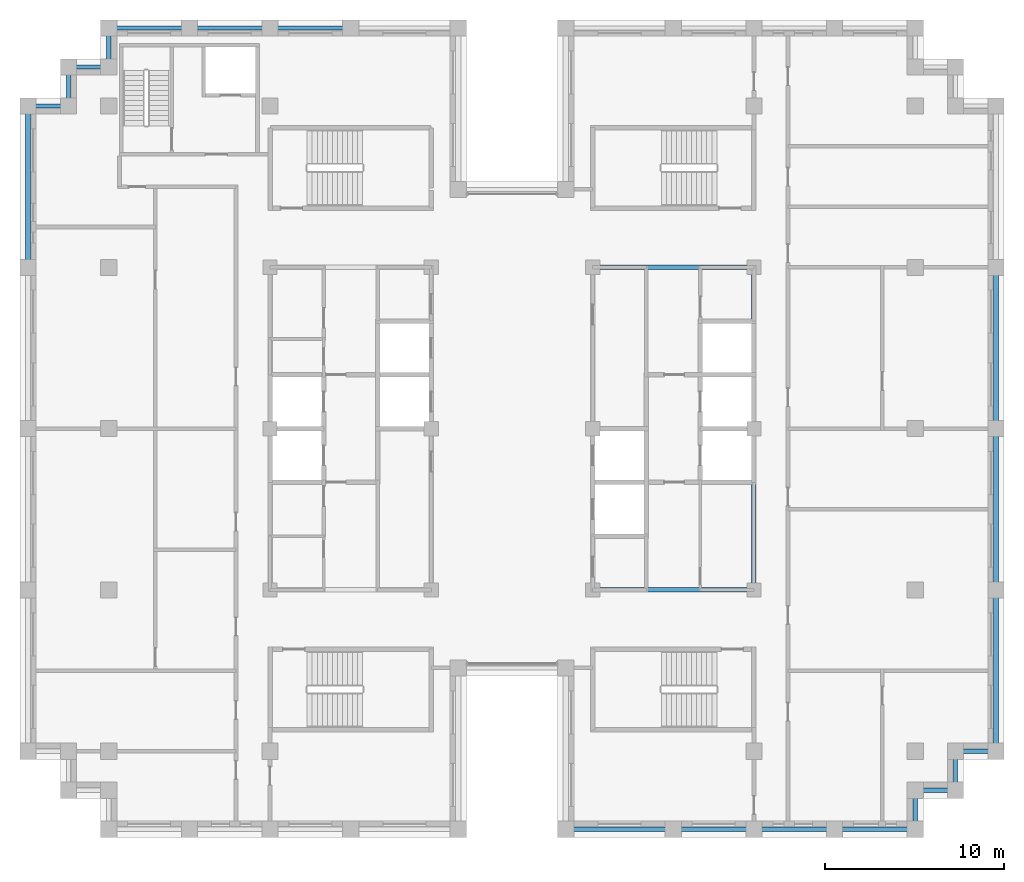
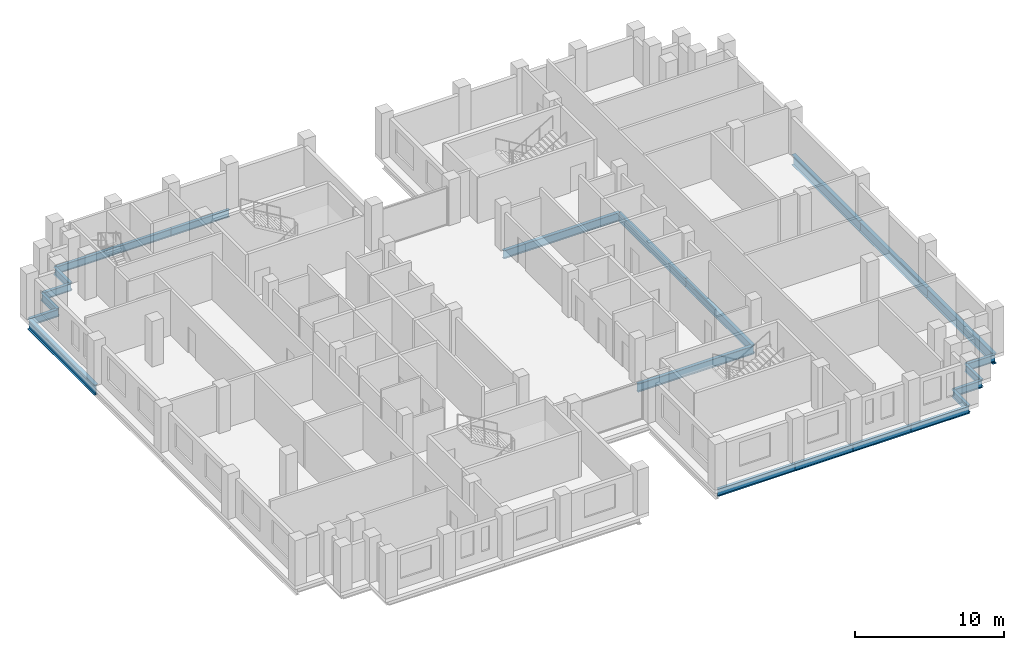
# One storey, part 3 of 13: 23 beams.
"""IFC4 building model written with IfcOpenShell, lengths in metres."""

from ifc_helpers import new_model, si_unit, direction, frame, origin, origin_2d, place, context, subcontext, project, spatial, i_section, extrude, material, material_profile, profile_set, type_object, element, save


model = new_model("IFC4")

# Units and contexts
model_context = context("Model", 3, precision=1e-05, world=origin(), true_north=direction((0.0, 1.0)))
body_context = subcontext(model_context, "Body", "Model", "MODEL_VIEW")
ifc_project = project(units=[si_unit("LENGTHUNIT", "METRE"), si_unit("AREAUNIT", "SQUARE_METRE"), si_unit("VOLUMEUNIT", "CUBIC_METRE"), si_unit("PLANEANGLEUNIT", "RADIAN"), si_unit("MASSUNIT", "GRAM", prefix="KILO")], contexts=[model_context])

# Site, building, storey
site_placement = place(None, origin())
site = spatial("IfcSite", under=ifc_project, at=site_placement, CompositionType="ELEMENT")
building_placement = place(site_placement, origin())
building = spatial("IfcBuilding", under=site, at=building_placement, Name="Corbelhall Arena Tower", CompositionType="ELEMENT")
storey_placement = place(building_placement, frame((0.0, 0.0, 262.0)))
storey = spatial("IfcBuildingStorey", under=building, at=storey_placement, Name="L56", CompositionType="ELEMENT", Elevation=262.0)

# Beams
ifc_material = material(Name="Steel ASTM A992 Gr50", Category="steel")
ifc_material_profile_1 = material_profile(ifc_material, i_section(OverallWidth=0.25390625, OverallDepth=0.67822265625, WebThickness=0.01171875, FlangeThickness=0.016357421875, at=origin_2d()))
ifc_profile_set_1 = profile_set([ifc_material_profile_1], Name="Steel ASTM A992 Gr50")
beam_type_1 = type_object("IfcBeamType", Name="ST-BEAM-W27x84", PredefinedType="BEAM", material=ifc_profile_set_1)
for number, where, z_axis, x_axis, name in (
    (1, (13.5, -9.0, -0.619140625), (0.0, 1.0, 0.0), (-1.0, 0.0, 0.0), "Beam CEE 9"),
    (2, (13.5, 0.0, -0.619140625), (0.0, 1.0, 0.0), (-1.0, 0.0, 0.0), "Beam CEE 10"),
    (3, (4.5, -9.0, -0.619140625), (1.0, 0.0, 0.0), (0.0, 1.0, 0.0), "Beam CEE 11"),
    (4, (4.5, 9.0, -0.619140625), (1.0, 0.0, 0.0), (0.0, 1.0, 0.0), "Beam CEE 12"),
):
    element("IfcBeam", number, at=place(storey_placement, frame(where, z_axis=z_axis, x_axis=x_axis)), inside=storey, type_object=beam_type_1, Name=name, PredefinedType="BEAM", context=body_context, shape_type="SweptSolid", body=[
        extrude(i_section(OverallWidth=0.25390625, OverallDepth=0.67822265625, WebThickness=0.01171875, FlangeThickness=0.016357421875, at=origin_2d()), origin(), (0.0, 0.0, 1.0), 9.0),
    ])
ifc_material_profile_2 = material_profile(ifc_material, i_section(OverallWidth=0.227783203125, OverallDepth=0.60205078125, WebThickness=0.010498046875, FlangeThickness=0.014892578125, at=origin_2d()))
ifc_profile_set_2 = profile_set([ifc_material_profile_2], Name="Steel ASTM A992 Gr50")
beam_type_2 = type_object("IfcBeamType", Name="ST-SPANDREL-W24x68", PredefinedType="SPANDREL", material=ifc_profile_set_2)
beam_1_placement = place(storey_placement, frame((27.0, -18.0, -0.5810546875), z_axis=(-1.0, 0.0, 0.0), x_axis=(0.0, -1.0, 0.0)))
element("IfcBeam", 5, at=beam_1_placement, inside=storey, type_object=beam_type_2, Name="Beam SP 5", PredefinedType="SPANDREL", context=body_context, shape_type="SweptSolid", body=[
    extrude(i_section(OverallWidth=0.227783203125, OverallDepth=0.60205078125, WebThickness=0.010498046875, FlangeThickness=0.014892578125, at=origin_2d()), origin(), (0.0, 0.0, 1.0), 2.25),
])
for number, where, z_axis, x_axis, name in (
    (6, (-13.5, 22.35009765625, -0.5810546875), (1.0, 0.0, 0.0), (0.0, 1.0, 0.0), "Beam SP 13"),
    (7, (-18.0, 22.35009765625, -0.5810546875), (1.0, 0.0, 0.0), (0.0, 1.0, 0.0), "Beam SP 14"),
    (8, (-22.5, 22.35009765625, -0.5810546875), (1.0, 0.0, 0.0), (0.0, 1.0, 0.0), "Beam SP 15"),
):
    element("IfcBeam", number, at=place(storey_placement, frame(where, z_axis=z_axis, x_axis=x_axis)), inside=storey, type_object=beam_type_2, Name=name, PredefinedType="SPANDREL", context=body_context, shape_type="SweptSolid", body=[
        extrude(i_section(OverallWidth=0.227783203125, OverallDepth=0.60205078125, WebThickness=0.010498046875, FlangeThickness=0.014892578125, at=origin_2d()), origin(), (0.0, 0.0, 1.0), 4.5),
    ])
beam_2_placement = place(storey_placement, frame((9.0, -22.35009765625, -0.5810546875), z_axis=(-1.0, 0.0, 0.0), x_axis=(0.0, -1.0, 0.0)))
element("IfcBeam", 9, at=beam_2_placement, inside=storey, type_object=beam_type_2, Name="Beam SP 17", PredefinedType="SPANDREL", context=body_context, shape_type="SweptSolid", body=[
    extrude(i_section(OverallWidth=0.227783203125, OverallDepth=0.60205078125, WebThickness=0.010498046875, FlangeThickness=0.014892578125, at=origin_2d()), origin(), (0.0, 0.0, 1.0), 6.0),
])
for number, where, z_axis, x_axis, name in (
    (10, (13.5, -22.35009765625, -0.5810546875), (-1.0, 0.0, 0.0), (0.0, -1.0, 0.0), "Beam SP 18"),
    (11, (18.0, -22.35009765625, -0.5810546875), (-1.0, 0.0, 0.0), (0.0, -1.0, 0.0), "Beam SP 19"),
    (12, (22.5, -22.35009765625, -0.5810546875), (-1.0, 0.0, 0.0), (0.0, -1.0, 0.0), "Beam SP 20"),
):
    element("IfcBeam", number, at=place(storey_placement, frame(where, z_axis=z_axis, x_axis=x_axis)), inside=storey, type_object=beam_type_2, Name=name, PredefinedType="SPANDREL", context=body_context, shape_type="SweptSolid", body=[
        extrude(i_section(OverallWidth=0.227783203125, OverallDepth=0.60205078125, WebThickness=0.010498046875, FlangeThickness=0.014892578125, at=origin_2d()), origin(), (0.0, 0.0, 1.0), 4.5),
    ])
beam_3_placement = place(storey_placement, frame((-27.0, 18.0, -0.5810546875), z_axis=(1.0, 0.0, 0.0), x_axis=(0.0, 1.0, 0.0)))
element("IfcBeam", 13, at=beam_3_placement, inside=storey, type_object=beam_type_2, Name="Beam SP 28", PredefinedType="SPANDREL", context=body_context, shape_type="SweptSolid", body=[
    extrude(i_section(OverallWidth=0.227783203125, OverallDepth=0.60205078125, WebThickness=0.010498046875, FlangeThickness=0.014892578125, at=origin_2d()), origin(), (0.0, 0.0, 1.0), 2.25),
])
beam_4_placement = place(storey_placement, frame((-22.5, 20.175048828125, -0.5810546875), z_axis=(0.0, 1.0, 0.0), x_axis=(-1.0, 0.0, 0.0)))
element("IfcBeam", 14, at=beam_4_placement, inside=storey, type_object=beam_type_2, Name="Beam SP 38", PredefinedType="SPANDREL", context=body_context, shape_type="SweptSolid", body=[
    extrude(i_section(OverallWidth=0.227783203125, OverallDepth=0.60205078125, WebThickness=0.010498046875, FlangeThickness=0.014892578125, at=origin_2d()), origin(), (0.0, 0.0, 1.0), 2.175048828125),
])
beam_5_placement = place(storey_placement, frame((-24.75, 20.175048828125, -0.5810546875), z_axis=(1.0, 0.0, 0.0), x_axis=(0.0, 1.0, 0.0)))
element("IfcBeam", 15, at=beam_5_placement, inside=storey, type_object=beam_type_2, Name="Beam SP 39", PredefinedType="SPANDREL", context=body_context, shape_type="SweptSolid", body=[
    extrude(i_section(OverallWidth=0.227783203125, OverallDepth=0.60205078125, WebThickness=0.010498046875, FlangeThickness=0.014892578125, at=origin_2d()), origin(), (0.0, 0.0, 1.0), 2.25),
])
for number, where, z_axis, x_axis, name in (
    (16, (-24.75, 18.0, -0.5810546875), (0.0, 1.0, 0.0), (-1.0, 0.0, 0.0), "Beam SP 40"),
    (17, (22.5, -20.175048828125, -0.5810546875), (0.0, -1.0, 0.0), (1.0, 0.0, 0.0), "Beam SP 41"),
):
    element("IfcBeam", number, at=place(storey_placement, frame(where, z_axis=z_axis, x_axis=x_axis)), inside=storey, type_object=beam_type_2, Name=name, PredefinedType="SPANDREL", context=body_context, shape_type="SweptSolid", body=[
        extrude(i_section(OverallWidth=0.227783203125, OverallDepth=0.60205078125, WebThickness=0.010498046875, FlangeThickness=0.014892578125, at=origin_2d()), origin(), (0.0, 0.0, 1.0), 2.175048828125),
    ])
beam_6_placement = place(storey_placement, frame((24.75, -20.175048828125, -0.5810546875), z_axis=(-1.0, 0.0, 0.0), x_axis=(0.0, -1.0, 0.0)))
element("IfcBeam", 18, at=beam_6_placement, inside=storey, type_object=beam_type_2, Name="Beam SP 42", PredefinedType="SPANDREL", context=body_context, shape_type="SweptSolid", body=[
    extrude(i_section(OverallWidth=0.227783203125, OverallDepth=0.60205078125, WebThickness=0.010498046875, FlangeThickness=0.014892578125, at=origin_2d()), origin(), (0.0, 0.0, 1.0), 2.25),
])
beam_7_placement = place(storey_placement, frame((24.75, -18.0, -0.5810546875), z_axis=(0.0, -1.0, 0.0), x_axis=(1.0, 0.0, 0.0)))
element("IfcBeam", 19, at=beam_7_placement, inside=storey, type_object=beam_type_2, Name="Beam SP 43", PredefinedType="SPANDREL", context=body_context, shape_type="SweptSolid", body=[
    extrude(i_section(OverallWidth=0.227783203125, OverallDepth=0.60205078125, WebThickness=0.010498046875, FlangeThickness=0.014892578125, at=origin_2d()), origin(), (0.0, 0.0, 1.0), 2.175048828125),
])
ifc_material_profile_3 = material_profile(ifc_material, i_section(OverallWidth=0.2919921875, OverallDepth=0.845703125, WebThickness=0.015380859375, FlangeThickness=0.0244140625, at=origin_2d()))
ifc_profile_set_3 = profile_set([ifc_material_profile_3], Name="Steel ASTM A992 Gr50")
beam_type_3 = type_object("IfcBeamType", Name="ST-SPANDREL-W33x141", PredefinedType="SPANDREL", material=ifc_profile_set_3)
for number, where, z_axis, x_axis, name in (
    (20, (27.0, 0.0, -0.702880859375), (0.0, -1.0, 0.0), (1.0, 0.0, 0.0), "Beam SP 1"),
    (21, (27.0, 9.0, -0.702880859375), (0.0, -1.0, 0.0), (1.0, 0.0, 0.0), "Beam SP 2"),
    (22, (27.0, -9.0, -0.702880859375), (0.0, -1.0, 0.0), (1.0, 0.0, 0.0), "Beam SP 4"),
    (23, (-27.0, 9.0, -0.702880859375), (0.0, 1.0, 0.0), (-1.0, 0.0, 0.0), "Beam SP 27"),
):
    element("IfcBeam", number, at=place(storey_placement, frame(where, z_axis=z_axis, x_axis=x_axis)), inside=storey, type_object=beam_type_3, Name=name, PredefinedType="SPANDREL", context=body_context, shape_type="SweptSolid", body=[
        extrude(i_section(OverallWidth=0.2919921875, OverallDepth=0.845703125, WebThickness=0.015380859375, FlangeThickness=0.0244140625, at=origin_2d()), origin(), (0.0, 0.0, 1.0), 9.0),
    ])

save(model, "model.ifc")
